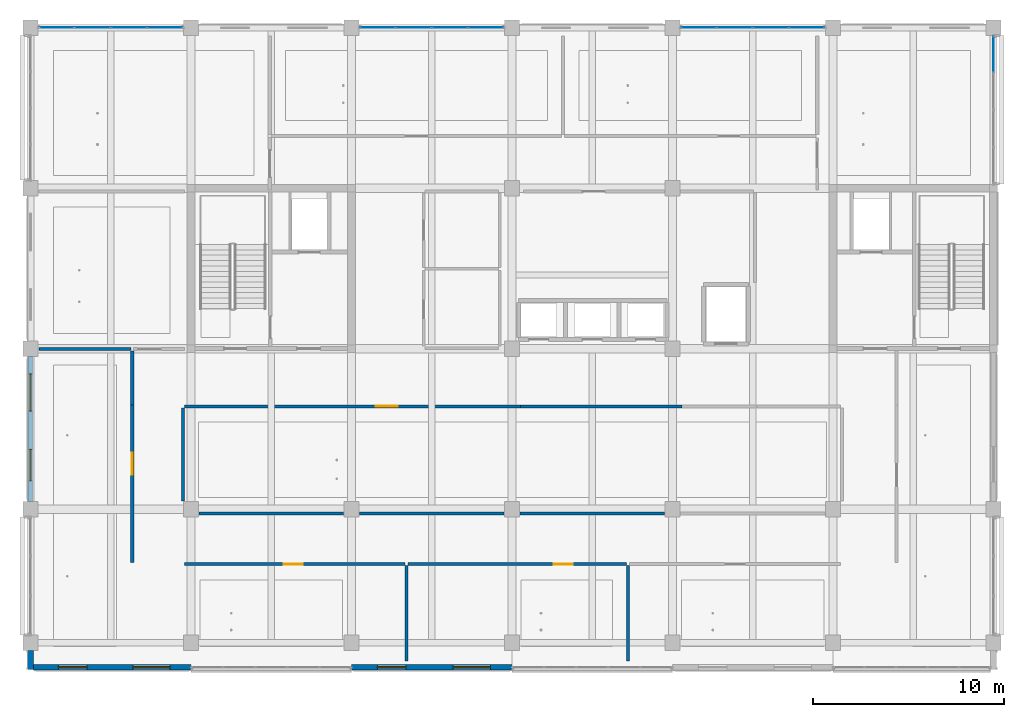
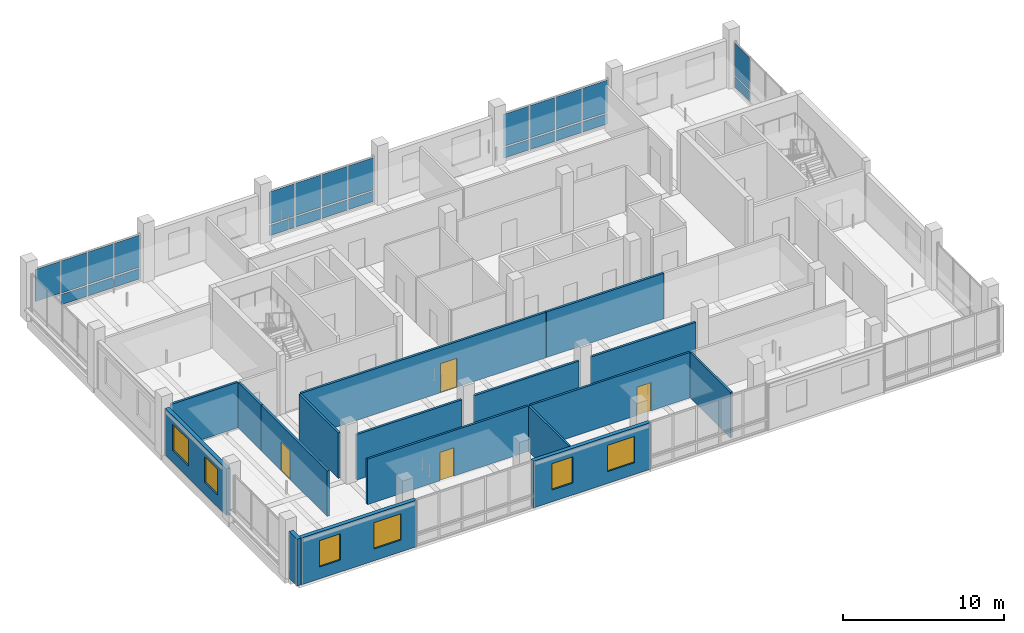
# One storey, part 11 of 34: 25 plates, 17 walls, 6 windows, 4 doors, 10 openings, 4 elements without a shape of their own.
"""IFC4 building model written with IfcOpenShell, lengths in metres."""

from ifc_helpers import new_model, si_unit, direction, frame, frame_2d, origin, origin_2d, place, context, subcontext, project, spatial, rectangle, extrude, material, layer, layer_set, type_object, element, fill, aggregate, save


model = new_model("IFC4")

# Units and contexts
model_context = context("Model", 3, precision=1e-05, world=origin(), true_north=direction((0.0, 1.0)))
body_context = subcontext(model_context, "Body", "Model", "MODEL_VIEW")
ifc_project = project(units=[si_unit("LENGTHUNIT", "METRE"), si_unit("AREAUNIT", "SQUARE_METRE"), si_unit("VOLUMEUNIT", "CUBIC_METRE"), si_unit("PLANEANGLEUNIT", "RADIAN"), si_unit("MASSUNIT", "GRAM", prefix="KILO")], contexts=[model_context])

# Site, building, storey
site_placement = place(None, origin())
site = spatial("IfcSite", under=ifc_project, at=site_placement, CompositionType="ELEMENT")
building_placement = place(site_placement, origin())
building = spatial("IfcBuilding", under=site, at=building_placement, Name="Telukmera Botanical Conservatory", CompositionType="ELEMENT")
storey_placement = place(building_placement, frame((0.0, 0.0, 37.5)))
storey = spatial("IfcBuildingStorey", under=building, at=storey_placement, Name="L08", CompositionType="ELEMENT", Elevation=37.5)

# Curtain wall, plates
ifc_material_1 = material(Name="Anodised aluminium 6063-T6", Category="aluminium")
ifc_layer_1 = layer(ifc_material_1, 0.179931640625)
ifc_layer_set_1 = layer_set([ifc_layer_1], Name="Anodised aluminium 6063-T6")
curtain_wall_type = type_object("IfcCurtainWallType", Name="Tower Research Laboratory Unitised Curtain Wall", PredefinedType="USERDEFINED", material=ifc_layer_set_1)
curtain_wall_1_placement = place(storey_placement, origin())
curtain_wall_1 = element("IfcCurtainWall", 1, at=curtain_wall_1_placement, inside=storey, type_object=curtain_wall_type, Name="Unitised Curtain Wall CW15 V4:L08:N1", ObjectType="UNITISED CURTAIN WALL", PredefinedType="USERDEFINED")
ifc_material_2 = material(Name="Spectrally selective low-E double glazing", Category="glass")
ifc_layer_2 = layer(ifc_material_2, 0.028076171875)
ifc_layer_set_2 = layer_set([ifc_layer_2], Name="Spectrally selective low-E double glazing")
plate_type = type_object("IfcPlateType", Name="Spectrally Selective Vision Double Glazing Panel 28", PredefinedType="CURTAIN_PANEL", material=ifc_layer_set_2)
plate_1_placement = place(storey_placement, frame((51.7666015625, 42.800048828125, 1.0048828125), z_axis=(0.0, 0.0, 1.0), x_axis=(1.0, 0.0, 0.0)))
plate_1 = element("IfcPlate", 2, at=plate_1_placement, type_object=plate_type, Name="CW15 panel 1.2", PredefinedType="CURTAIN_PANEL", context=body_context, shape_type="SweptSolid", body=[
    extrude(rectangle(XDim=1.80908203125, YDim=0.028076171875, at=origin_2d()), origin(), (0.0, 0.0, 1.0), 2.43505859375),
])
plate_2_placement = place(storey_placement, frame((53.650390625, 42.800048828125, 0.10986328125), z_axis=(0.0, 0.0, 1.0), x_axis=(1.0, 0.0, 0.0)))
plate_2 = element("IfcPlate", 3, at=plate_2_placement, type_object=plate_type, Name="CW15 panel 2.1", PredefinedType="CURTAIN_PANEL", context=body_context, shape_type="SweptSolid", body=[
    extrude(rectangle(XDim=1.839111328125, YDim=0.028076171875, at=origin_2d()), origin(), (0.0, 0.0, 1.0), 0.784912109375),
])
plate_3_placement = place(storey_placement, frame((53.650390625, 42.800048828125, 1.0048828125), z_axis=(0.0, 0.0, 1.0), x_axis=(1.0, 0.0, 0.0)))
plate_3 = element("IfcPlate", 4, at=plate_3_placement, type_object=plate_type, Name="CW15 panel 2.2", PredefinedType="CURTAIN_PANEL", context=body_context, shape_type="SweptSolid", body=[
    extrude(rectangle(XDim=1.839111328125, YDim=0.028076171875, at=origin_2d()), origin(), (0.0, 0.0, 1.0), 2.43505859375),
])
plate_4_placement = place(storey_placement, frame((55.549560546875, 42.800048828125, 0.10986328125), z_axis=(0.0, 0.0, 1.0), x_axis=(1.0, 0.0, 0.0)))
plate_4 = element("IfcPlate", 5, at=plate_4_placement, type_object=plate_type, Name="CW15 panel 3.1", PredefinedType="CURTAIN_PANEL", context=body_context, shape_type="SweptSolid", body=[
    extrude(rectangle(XDim=1.839111328125, YDim=0.028076171875, at=origin_2d()), origin(), (0.0, 0.0, 1.0), 0.784912109375),
])
plate_5_placement = place(storey_placement, frame((55.549560546875, 42.800048828125, 1.0048828125), z_axis=(0.0, 0.0, 1.0), x_axis=(1.0, 0.0, 0.0)))
plate_5 = element("IfcPlate", 6, at=plate_5_placement, type_object=plate_type, Name="CW15 panel 3.2", PredefinedType="CURTAIN_PANEL", context=body_context, shape_type="SweptSolid", body=[
    extrude(rectangle(XDim=1.839111328125, YDim=0.028076171875, at=origin_2d()), origin(), (0.0, 0.0, 1.0), 2.43505859375),
])
plate_6_placement = place(storey_placement, frame((57.43359375, 42.800048828125, 0.10986328125), z_axis=(0.0, 0.0, 1.0), x_axis=(1.0, 0.0, 0.0)))
plate_6 = element("IfcPlate", 7, at=plate_6_placement, type_object=plate_type, Name="CW15 panel 4.1", PredefinedType="CURTAIN_PANEL", context=body_context, shape_type="SweptSolid", body=[
    extrude(rectangle(XDim=1.80908203125, YDim=0.028076171875, at=origin_2d()), origin(), (0.0, 0.0, 1.0), 0.784912109375),
])
plate_7_placement = place(storey_placement, frame((57.43359375, 42.800048828125, 1.0048828125), z_axis=(0.0, 0.0, 1.0), x_axis=(1.0, 0.0, 0.0)))
plate_7 = element("IfcPlate", 8, at=plate_7_placement, type_object=plate_type, Name="CW15 panel 4.2", PredefinedType="CURTAIN_PANEL", context=body_context, shape_type="SweptSolid", body=[
    extrude(rectangle(XDim=1.80908203125, YDim=0.028076171875, at=origin_2d()), origin(), (0.0, 0.0, 1.0), 2.43505859375),
])
aggregate(curtain_wall_1, [plate_1, plate_2, plate_3, plate_4, plate_5, plate_6, plate_7])

curtain_wall_2_placement = place(storey_placement, origin())
curtain_wall_2 = element("IfcCurtainWall", 9, at=curtain_wall_2_placement, inside=storey, type_object=curtain_wall_type, Name="Unitised Curtain Wall CW15 V4:L08:N3", ObjectType="UNITISED CURTAIN WALL", PredefinedType="USERDEFINED")
plate_8_placement = place(storey_placement, frame((68.56640625, 42.800048828125, 0.10986328125), z_axis=(0.0, 0.0, 1.0), x_axis=(1.0, 0.0, 0.0)))
plate_8 = element("IfcPlate", 10, at=plate_8_placement, type_object=plate_type, Name="CW15 panel 1.1", PredefinedType="CURTAIN_PANEL", context=body_context, shape_type="SweptSolid", body=[
    extrude(rectangle(XDim=1.80908203125, YDim=0.028076171875, at=origin_2d()), origin(), (0.0, 0.0, 1.0), 0.784912109375),
])
plate_9_placement = place(storey_placement, frame((68.56640625, 42.800048828125, 1.0048828125), z_axis=(0.0, 0.0, 1.0), x_axis=(1.0, 0.0, 0.0)))
plate_9 = element("IfcPlate", 11, at=plate_9_placement, type_object=plate_type, Name="CW15 panel 1.2", PredefinedType="CURTAIN_PANEL", context=body_context, shape_type="SweptSolid", body=[
    extrude(rectangle(XDim=1.80908203125, YDim=0.028076171875, at=origin_2d()), origin(), (0.0, 0.0, 1.0), 2.43505859375),
])
plate_10_placement = place(storey_placement, frame((70.450439453125, 42.800048828125, 0.10986328125), z_axis=(0.0, 0.0, 1.0), x_axis=(1.0, 0.0, 0.0)))
plate_10 = element("IfcPlate", 12, at=plate_10_placement, type_object=plate_type, Name="CW15 panel 2.1", PredefinedType="CURTAIN_PANEL", context=body_context, shape_type="SweptSolid", body=[
    extrude(rectangle(XDim=1.839111328125, YDim=0.028076171875, at=origin_2d()), origin(), (0.0, 0.0, 1.0), 0.784912109375),
])
plate_11_placement = place(storey_placement, frame((70.450439453125, 42.800048828125, 1.0048828125), z_axis=(0.0, 0.0, 1.0), x_axis=(1.0, 0.0, 0.0)))
plate_11 = element("IfcPlate", 13, at=plate_11_placement, type_object=plate_type, Name="CW15 panel 2.2", PredefinedType="CURTAIN_PANEL", context=body_context, shape_type="SweptSolid", body=[
    extrude(rectangle(XDim=1.839111328125, YDim=0.028076171875, at=origin_2d()), origin(), (0.0, 0.0, 1.0), 2.43505859375),
])
plate_12_placement = place(storey_placement, frame((72.349609375, 42.800048828125, 0.10986328125), z_axis=(0.0, 0.0, 1.0), x_axis=(1.0, 0.0, 0.0)))
plate_12 = element("IfcPlate", 14, at=plate_12_placement, type_object=plate_type, Name="CW15 panel 3.1", PredefinedType="CURTAIN_PANEL", context=body_context, shape_type="SweptSolid", body=[
    extrude(rectangle(XDim=1.839111328125, YDim=0.028076171875, at=origin_2d()), origin(), (0.0, 0.0, 1.0), 0.784912109375),
])
plate_13_placement = place(storey_placement, frame((72.349609375, 42.800048828125, 1.0048828125), z_axis=(0.0, 0.0, 1.0), x_axis=(1.0, 0.0, 0.0)))
plate_13 = element("IfcPlate", 15, at=plate_13_placement, type_object=plate_type, Name="CW15 panel 3.2", PredefinedType="CURTAIN_PANEL", context=body_context, shape_type="SweptSolid", body=[
    extrude(rectangle(XDim=1.839111328125, YDim=0.028076171875, at=origin_2d()), origin(), (0.0, 0.0, 1.0), 2.43505859375),
])
plate_14_placement = place(storey_placement, frame((74.2333984375, 42.800048828125, 0.10986328125), z_axis=(0.0, 0.0, 1.0), x_axis=(1.0, 0.0, 0.0)))
plate_14 = element("IfcPlate", 16, at=plate_14_placement, type_object=plate_type, Name="CW15 panel 4.1", PredefinedType="CURTAIN_PANEL", context=body_context, shape_type="SweptSolid", body=[
    extrude(rectangle(XDim=1.80908203125, YDim=0.028076171875, at=origin_2d()), origin(), (0.0, 0.0, 1.0), 0.784912109375),
])
plate_15_placement = place(storey_placement, frame((74.2333984375, 42.800048828125, 1.0048828125), z_axis=(0.0, 0.0, 1.0), x_axis=(1.0, 0.0, 0.0)))
plate_15 = element("IfcPlate", 17, at=plate_15_placement, type_object=plate_type, Name="CW15 panel 4.2", PredefinedType="CURTAIN_PANEL", context=body_context, shape_type="SweptSolid", body=[
    extrude(rectangle(XDim=1.80908203125, YDim=0.028076171875, at=origin_2d()), origin(), (0.0, 0.0, 1.0), 2.43505859375),
])
aggregate(curtain_wall_2, [plate_8, plate_9, plate_10, plate_11, plate_12, plate_13, plate_14, plate_15])

curtain_wall_3_placement = place(storey_placement, origin())
curtain_wall_3 = element("IfcCurtainWall", 18, at=curtain_wall_3_placement, inside=storey, type_object=curtain_wall_type, Name="Unitised Curtain Wall CW15 V4:L08:N5", ObjectType="UNITISED CURTAIN WALL", PredefinedType="USERDEFINED")
plate_16_placement = place(storey_placement, frame((85.366455078125, 42.800048828125, 0.10986328125), z_axis=(0.0, 0.0, 1.0), x_axis=(1.0, 0.0, 0.0)))
plate_16 = element("IfcPlate", 19, at=plate_16_placement, type_object=plate_type, Name="CW15 panel 1.1", PredefinedType="CURTAIN_PANEL", context=body_context, shape_type="SweptSolid", body=[
    extrude(rectangle(XDim=1.80908203125, YDim=0.028076171875, at=origin_2d()), origin(), (0.0, 0.0, 1.0), 0.784912109375),
])
plate_17_placement = place(storey_placement, frame((85.366455078125, 42.800048828125, 1.0048828125), z_axis=(0.0, 0.0, 1.0), x_axis=(1.0, 0.0, 0.0)))
plate_17 = element("IfcPlate", 20, at=plate_17_placement, type_object=plate_type, Name="CW15 panel 1.2", PredefinedType="CURTAIN_PANEL", context=body_context, shape_type="SweptSolid", body=[
    extrude(rectangle(XDim=1.80908203125, YDim=0.028076171875, at=origin_2d()), origin(), (0.0, 0.0, 1.0), 2.43505859375),
])
plate_18_placement = place(storey_placement, frame((87.25048828125, 42.800048828125, 0.10986328125), z_axis=(0.0, 0.0, 1.0), x_axis=(1.0, 0.0, 0.0)))
plate_18 = element("IfcPlate", 21, at=plate_18_placement, type_object=plate_type, Name="CW15 panel 2.1", PredefinedType="CURTAIN_PANEL", context=body_context, shape_type="SweptSolid", body=[
    extrude(rectangle(XDim=1.839111328125, YDim=0.028076171875, at=origin_2d()), origin(), (0.0, 0.0, 1.0), 0.784912109375),
])
plate_19_placement = place(storey_placement, frame((87.25048828125, 42.800048828125, 1.0048828125), z_axis=(0.0, 0.0, 1.0), x_axis=(1.0, 0.0, 0.0)))
plate_19 = element("IfcPlate", 22, at=plate_19_placement, type_object=plate_type, Name="CW15 panel 2.2", PredefinedType="CURTAIN_PANEL", context=body_context, shape_type="SweptSolid", body=[
    extrude(rectangle(XDim=1.839111328125, YDim=0.028076171875, at=origin_2d()), origin(), (0.0, 0.0, 1.0), 2.43505859375),
])
plate_20_placement = place(storey_placement, frame((89.1494140625, 42.800048828125, 0.10986328125), z_axis=(0.0, 0.0, 1.0), x_axis=(1.0, 0.0, 0.0)))
plate_20 = element("IfcPlate", 23, at=plate_20_placement, type_object=plate_type, Name="CW15 panel 3.1", PredefinedType="CURTAIN_PANEL", context=body_context, shape_type="SweptSolid", body=[
    extrude(rectangle(XDim=1.839111328125, YDim=0.028076171875, at=origin_2d()), origin(), (0.0, 0.0, 1.0), 0.784912109375),
])
plate_21_placement = place(storey_placement, frame((89.1494140625, 42.800048828125, 1.0048828125), z_axis=(0.0, 0.0, 1.0), x_axis=(1.0, 0.0, 0.0)))
plate_21 = element("IfcPlate", 24, at=plate_21_placement, type_object=plate_type, Name="CW15 panel 3.2", PredefinedType="CURTAIN_PANEL", context=body_context, shape_type="SweptSolid", body=[
    extrude(rectangle(XDim=1.839111328125, YDim=0.028076171875, at=origin_2d()), origin(), (0.0, 0.0, 1.0), 2.43505859375),
])
plate_22_placement = place(storey_placement, frame((91.033447265625, 42.800048828125, 0.10986328125), z_axis=(0.0, 0.0, 1.0), x_axis=(1.0, 0.0, 0.0)))
plate_22 = element("IfcPlate", 25, at=plate_22_placement, type_object=plate_type, Name="CW15 panel 4.1", PredefinedType="CURTAIN_PANEL", context=body_context, shape_type="SweptSolid", body=[
    extrude(rectangle(XDim=1.80908203125, YDim=0.028076171875, at=origin_2d()), origin(), (0.0, 0.0, 1.0), 0.784912109375),
])
plate_23_placement = place(storey_placement, frame((91.033447265625, 42.800048828125, 1.0048828125), z_axis=(0.0, 0.0, 1.0), x_axis=(1.0, 0.0, 0.0)))
plate_23 = element("IfcPlate", 26, at=plate_23_placement, type_object=plate_type, Name="CW15 panel 4.2", PredefinedType="CURTAIN_PANEL", context=body_context, shape_type="SweptSolid", body=[
    extrude(rectangle(XDim=1.80908203125, YDim=0.028076171875, at=origin_2d()), origin(), (0.0, 0.0, 1.0), 2.43505859375),
])
aggregate(curtain_wall_3, [plate_16, plate_17, plate_18, plate_19, plate_20, plate_21, plate_22, plate_23])

curtain_wall_4_placement = place(storey_placement, origin())
curtain_wall_4 = element("IfcCurtainWall", 27, at=curtain_wall_4_placement, inside=storey, type_object=curtain_wall_type, Name="Unitised Curtain Wall CW15 V4:L08:E4", ObjectType="UNITISED CURTAIN WALL", PredefinedType="USERDEFINED")
plate_24_placement = place(storey_placement, frame((100.800048828125, 41.408447265625, 0.10986328125), z_axis=(0.0, 0.0, 1.0), x_axis=(0.0, 1.0, 0.0)))
plate_24 = element("IfcPlate", 28, at=plate_24_placement, type_object=plate_type, Name="CW15 panel 4.1", PredefinedType="CURTAIN_PANEL", context=body_context, shape_type="SweptSolid", body=[
    extrude(rectangle(XDim=1.85888671875, YDim=0.028076171875, at=origin_2d()), origin(), (0.0, 0.0, 1.0), 0.784912109375),
])
plate_25_placement = place(storey_placement, frame((100.800048828125, 41.408447265625, 1.0048828125), z_axis=(0.0, 0.0, 1.0), x_axis=(0.0, 1.0, 0.0)))
plate_25 = element("IfcPlate", 29, at=plate_25_placement, type_object=plate_type, Name="CW15 panel 4.2", PredefinedType="CURTAIN_PANEL", context=body_context, shape_type="SweptSolid", body=[
    extrude(rectangle(XDim=1.85888671875, YDim=0.028076171875, at=origin_2d()), origin(), (0.0, 0.0, 1.0), 2.43505859375),
])
aggregate(curtain_wall_4, [plate_24, plate_25])

# Wall, openings, windows
ifc_material_3 = material(Name="Precast concrete C40/50", Category="concrete")
ifc_layer_3 = layer(ifc_material_3, 0.280029296875)
ifc_layer_set_3 = layer_set([ifc_layer_3], Name="Precast concrete C40/50")
wall_type_1 = type_object("IfcWallType", Name="Exterior Laboratory Modular Precast Wall 280", PredefinedType="ELEMENTEDWALL", material=ifc_layer_set_3)
wall_1_placement = place(storey_placement, frame((50.552001953125, 9.320068359375, 0.0), z_axis=(0.0, 0.0, 1.0), x_axis=(1.0, 0.0, 0.0)))
wall_1 = element("IfcWall", 30, at=wall_1_placement, inside=storey, type_object=wall_type_1, Name="Exterior Precast Wall EW06 V4:L08:S1", PredefinedType="ELEMENTEDWALL", context=body_context, shape_type="SweptSolid", body=[
    extrude(rectangle(XDim=8.24609375, YDim=0.280029296875, at=frame_2d((4.123046875, 0.0))), origin(), (0.0, 0.0, 1.0), 3.550048828125),
])
opening_1_placement = place(wall_1_placement, frame((1.3115234375, 0.0, 0.89990234375)))
opening_1 = element("IfcOpeningElement", 31, at=opening_1_placement, cuts=wall_1, Name="Opening W06", PredefinedType="OPENING", context=body_context, shape_type="SweptSolid", body=[
    extrude(rectangle(XDim=1.5, YDim=2.0, at=frame_2d((0.75, 1.0))), frame((0.0, 0.14990234375, 0.0), z_axis=(0.0, -1.0, 0.0), x_axis=(1.0, 0.0, 0.0)), (0.0, 0.0, 1.0), 0.300048828125),
])
opening_2_placement = place(wall_1_placement, frame((5.20947265625, 0.0, 0.89990234375)))
opening_2 = element("IfcOpeningElement", 32, at=opening_2_placement, cuts=wall_1, Name="Opening W13", PredefinedType="OPENING", context=body_context, shape_type="SweptSolid", body=[
    extrude(rectangle(XDim=1.949951171875, YDim=2.0, at=frame_2d((0.97509765625, 1.0))), frame((0.0, 0.14990234375, 0.0), z_axis=(0.0, -1.0, 0.0), x_axis=(1.0, 0.0, 0.0)), (0.0, 0.0, 1.0), 0.300048828125),
])
ifc_material_4 = material(Name="Thermally broken anodised aluminium frame with low-E double glazing", Category="aluminium")
window_type_1 = type_object("IfcWindowType", Name="Double Vertical Laboratory Viewing Window 1500x2000", PartitioningType="DOUBLE_PANEL_VERTICAL", PredefinedType="WINDOW", material=ifc_material_4)
window_1_placement = place(opening_1_placement, origin())
window_1 = element("IfcWindow", 33, at=window_1_placement, inside=storey, type_object=window_type_1, Name="Facade Window W06 V4:L08:S1 1", OverallHeight=2.0, OverallWidth=1.5, PartitioningType="DOUBLE_PANEL_VERTICAL", PredefinedType="WINDOW", context=body_context, shape_type="SweptSolid", body=[
    extrude(rectangle(XDim=1.5, YDim=2.0, at=frame_2d((0.75, 1.0))), frame((0.0, 0.030029296875, 0.0), z_axis=(0.0, -1.0, 0.0), x_axis=(1.0, 0.0, 0.0)), (0.0, 0.0, 1.0), 0.06005859375),
])
fill(opening_1, window_1)
window_type_2 = type_object("IfcWindowType", Name="Triple Vertical Tissue Culture Lab Window 1950x2000", PartitioningType="TRIPLE_PANEL_VERTICAL", PredefinedType="WINDOW", material=ifc_material_4)
window_2_placement = place(opening_2_placement, origin())
window_2 = element("IfcWindow", 34, at=window_2_placement, inside=storey, type_object=window_type_2, Name="Facade Window W13 V4:L08:S1 2", OverallHeight=2.0, OverallWidth=1.949951171875, PartitioningType="TRIPLE_PANEL_VERTICAL", PredefinedType="WINDOW", context=body_context, shape_type="SweptSolid", body=[
    extrude(rectangle(XDim=1.949951171875, YDim=2.0, at=frame_2d((0.97509765625, 1.0))), frame((0.0, 0.030029296875, 0.0), z_axis=(0.0, -1.0, 0.0), x_axis=(1.0, 0.0, 0.0)), (0.0, 0.0, 1.0), 0.06005859375),
])
fill(opening_2, window_2)

wall_2_placement = place(storey_placement, frame((67.201904296875, 9.320068359375, 0.0), z_axis=(0.0, 0.0, 1.0), x_axis=(1.0, 0.0, 0.0)))
wall_2 = element("IfcWall", 35, at=wall_2_placement, inside=storey, type_object=wall_type_1, Name="Exterior Precast Wall EW06 V4:L08:S3", PredefinedType="ELEMENTEDWALL", context=body_context, shape_type="SweptSolid", body=[
    extrude(rectangle(XDim=8.39599609375, YDim=0.280029296875, at=frame_2d((4.197998046875, 0.0))), origin(), (0.0, 0.0, 1.0), 3.550048828125),
])
opening_3_placement = place(wall_2_placement, frame((1.34912109375, 0.0, 0.89990234375)))
opening_3 = element("IfcOpeningElement", 36, at=opening_3_placement, cuts=wall_2, Name="Opening W06", PredefinedType="OPENING", context=body_context, shape_type="SweptSolid", body=[
    extrude(rectangle(XDim=1.5, YDim=2.0, at=frame_2d((0.75, 1.0))), frame((0.0, 0.14990234375, 0.0), z_axis=(0.0, -1.0, 0.0), x_axis=(1.0, 0.0, 0.0)), (0.0, 0.0, 1.0), 0.300048828125),
])
opening_4_placement = place(wall_2_placement, frame((5.322021484375, 0.0, 0.89990234375)))
opening_4 = element("IfcOpeningElement", 37, at=opening_4_placement, cuts=wall_2, Name="Opening W13", PredefinedType="OPENING", context=body_context, shape_type="SweptSolid", body=[
    extrude(rectangle(XDim=1.949951171875, YDim=2.0, at=frame_2d((0.97509765625, 1.0))), frame((0.0, 0.14990234375, 0.0), z_axis=(0.0, -1.0, 0.0), x_axis=(1.0, 0.0, 0.0)), (0.0, 0.0, 1.0), 0.300048828125),
])
window_3_placement = place(opening_3_placement, origin())
window_3 = element("IfcWindow", 38, at=window_3_placement, inside=storey, type_object=window_type_1, Name="Facade Window W06 V4:L08:S3 1", OverallHeight=2.0, OverallWidth=1.5, PartitioningType="DOUBLE_PANEL_VERTICAL", PredefinedType="WINDOW", context=body_context, shape_type="SweptSolid", body=[
    extrude(rectangle(XDim=1.5, YDim=2.0, at=frame_2d((0.75, 1.0))), frame((0.0, 0.030029296875, 0.0), z_axis=(0.0, -1.0, 0.0), x_axis=(1.0, 0.0, 0.0)), (0.0, 0.0, 1.0), 0.06005859375),
])
fill(opening_3, window_3)
window_4_placement = place(opening_4_placement, origin())
window_4 = element("IfcWindow", 39, at=window_4_placement, inside=storey, type_object=window_type_2, Name="Facade Window W13 V4:L08:S3 2", OverallHeight=2.0, OverallWidth=1.949951171875, PartitioningType="TRIPLE_PANEL_VERTICAL", PredefinedType="WINDOW", context=body_context, shape_type="SweptSolid", body=[
    extrude(rectangle(XDim=1.949951171875, YDim=2.0, at=frame_2d((0.97509765625, 1.0))), frame((0.0, 0.030029296875, 0.0), z_axis=(0.0, -1.0, 0.0), x_axis=(1.0, 0.0, 0.0)), (0.0, 0.0, 1.0), 0.06005859375),
])
fill(opening_4, window_4)

wall_3_placement = place(storey_placement, frame((50.39990234375, 18.001953125, 0.0), z_axis=(0.0, 0.0, 1.0), x_axis=(0.0, 1.0, 0.0)))
wall_3 = element("IfcWall", 40, at=wall_3_placement, inside=storey, type_object=wall_type_1, Name="Exterior Precast Wall EW06 V4:L08:W2", PredefinedType="ELEMENTEDWALL", context=body_context, shape_type="SweptSolid", body=[
    extrude(rectangle(XDim=7.595947265625, YDim=0.280029296875, at=frame_2d((3.7978515625, 0.0))), origin(), (0.0, 0.0, 1.0), 3.550048828125),
])
opening_5_placement = place(wall_3_placement, frame((1.073974609375, 0.0, 0.89990234375)))
opening_5 = element("IfcOpeningElement", 41, at=opening_5_placement, cuts=wall_3, Name="Opening W10", PredefinedType="OPENING", context=body_context, shape_type="SweptSolid", body=[
    extrude(rectangle(XDim=1.64990234375, YDim=1.949951171875, at=frame_2d((0.824951171875, 0.97509765625))), frame((0.0, 0.14990234375, 0.0), z_axis=(0.0, -1.0, 0.0), x_axis=(1.0, 0.0, 0.0)), (0.0, 0.0, 1.0), 0.300048828125),
])
opening_6_placement = place(wall_3_placement, frame((4.721923828125, 0.0, 0.89990234375)))
opening_6 = element("IfcOpeningElement", 42, at=opening_6_placement, cuts=wall_3, Name="Opening W13", PredefinedType="OPENING", context=body_context, shape_type="SweptSolid", body=[
    extrude(rectangle(XDim=1.949951171875, YDim=2.0, at=frame_2d((0.97509765625, 1.0))), frame((0.0, 0.14990234375, 0.0), z_axis=(0.0, -1.0, 0.0), x_axis=(1.0, 0.0, 0.0)), (0.0, 0.0, 1.0), 0.300048828125),
])
window_type_3 = type_object("IfcWindowType", Name="Double Horizontal Phytochemistry Lab Window 1650x1950", PartitioningType="DOUBLE_PANEL_HORIZONTAL", PredefinedType="WINDOW", material=ifc_material_4)
window_5_placement = place(opening_5_placement, origin())
window_5 = element("IfcWindow", 43, at=window_5_placement, inside=storey, type_object=window_type_3, Name="Facade Window W10 V4:L08:W2 1", OverallHeight=1.949951171875, OverallWidth=1.64990234375, PartitioningType="DOUBLE_PANEL_HORIZONTAL", PredefinedType="WINDOW", context=body_context, shape_type="SweptSolid", body=[
    extrude(rectangle(XDim=1.64990234375, YDim=1.949951171875, at=frame_2d((0.824951171875, 0.97509765625))), frame((0.0, 0.030029296875, 0.0), z_axis=(0.0, -1.0, 0.0), x_axis=(1.0, 0.0, 0.0)), (0.0, 0.0, 1.0), 0.06005859375),
])
fill(opening_5, window_5)
window_6_placement = place(opening_6_placement, origin())
window_6 = element("IfcWindow", 44, at=window_6_placement, inside=storey, type_object=window_type_2, Name="Facade Window W13 V4:L08:W2 2", OverallHeight=2.0, OverallWidth=1.949951171875, PartitioningType="TRIPLE_PANEL_VERTICAL", PredefinedType="WINDOW", context=body_context, shape_type="SweptSolid", body=[
    extrude(rectangle(XDim=1.949951171875, YDim=2.0, at=frame_2d((0.97509765625, 1.0))), frame((0.0, 0.030029296875, 0.0), z_axis=(0.0, -1.0, 0.0), x_axis=(1.0, 0.0, 0.0)), (0.0, 0.0, 1.0), 0.06005859375),
])
fill(opening_6, window_6)

# Walls
ifc_material_5 = material(Name="Terracotta-faced precast concrete C40/50", Category="masonry")
ifc_layer_4 = layer(ifc_material_5, 0.300048828125)
ifc_layer_set_4 = layer_set([ifc_layer_4], Name="Terracotta-faced precast concrete C40/50")
wall_type_2 = type_object("IfcWallType", Name="Exterior Polychrome Terracotta Precast Wall 300", PredefinedType="SOLIDWALL", material=ifc_layer_set_4)
wall_4_placement = place(storey_placement, frame((50.39990234375, 9.199951171875, 0.0), z_axis=(0.0, 0.0, 1.0), x_axis=(0.0, 1.0, 0.0)))
element("IfcWall", 45, at=wall_4_placement, inside=storey, type_object=wall_type_2, Name="Exterior Precast Wall EW02 V4:L08:SWC", PredefinedType="SOLIDWALL", context=body_context, shape_type="SweptSolid", body=[
    extrude(rectangle(XDim=0.998046875, YDim=0.300048828125, at=frame_2d((0.4990234375, 0.0))), origin(), (0.0, 0.0, 1.0), 3.550048828125),
])
ifc_material_6 = material(Name="Gypsum acoustic stud partition")
ifc_layer_5 = layer(ifc_material_6, 0.159912109375)
ifc_layer_set_5 = layer_set([ifc_layer_5], Name="Gypsum acoustic stud partition")
wall_type_3 = type_object("IfcWallType", Name="WT-LAB-160", PredefinedType="PARTITIONING", material=ifc_layer_set_5)
wall_5_placement = place(storey_placement, frame((50.85009765625, 25.97509765625, 0.0), z_axis=(0.0, 0.0, 1.0), x_axis=(1.0, 0.0, 0.0)))
element("IfcWall", 46, at=wall_5_placement, inside=storey, type_object=wall_type_3, Name="L08 Interior Partition 10", PredefinedType="PARTITIONING", context=body_context, shape_type="SweptSolid", body=[
    extrude(rectangle(XDim=4.7998046875, YDim=0.159912109375, at=frame_2d((2.39990234375, 0.0))), origin(), (0.0, 0.0, 1.0), 3.449951171875),
])
wall_6_placement = place(storey_placement, frame((76.050048828125, 22.97509765625, 0.0), z_axis=(0.0, 0.0, 1.0), x_axis=(1.0, 0.0, 0.0)))
element("IfcWall", 47, at=wall_6_placement, inside=storey, type_object=wall_type_3, Name="L08 Interior Partition 12", PredefinedType="PARTITIONING", context=body_context, shape_type="SweptSolid", body=[
    extrude(rectangle(XDim=8.449951171875, YDim=0.159912109375, at=frame_2d((4.22509765625, 0.0))), origin(), (0.0, 0.0, 1.0), 3.449951171875),
])

# Wall, opening, door
wall_7_placement = place(storey_placement, frame((58.449951171875, 22.97509765625, 0.0), z_axis=(0.0, 0.0, 1.0), x_axis=(1.0, 0.0, 0.0)))
wall_7 = element("IfcWall", 48, at=wall_7_placement, inside=storey, type_object=wall_type_3, Name="L08 Interior Partition 14", PredefinedType="PARTITIONING", context=body_context, shape_type="SweptSolid", body=[
    extrude(rectangle(XDim=17.590087890625, YDim=0.159912109375, at=frame_2d((8.794921875, 0.0))), origin(), (0.0, 0.0, 1.0), 3.449951171875),
])
opening_7_placement = place(wall_7_placement, frame((10.018310546875, 0.0, 0.0)))
opening_7 = element("IfcOpeningElement", 49, at=opening_7_placement, cuts=wall_7, Name="Opening ID09", PredefinedType="OPENING", context=body_context, shape_type="SweptSolid", body=[
    extrude(rectangle(XDim=1.159912109375, YDim=2.199951171875, at=frame_2d((0.580078125, 1.10009765625))), frame((0.0, 0.08984375, 0.0), z_axis=(0.0, -1.0, 0.0), x_axis=(1.0, 0.0, 0.0)), (0.0, 0.0, 1.0), 0.179931640625),
])
ifc_material_7 = material(Name="Phenolic faced laboratory fire door")
door_type_1 = type_object("IfcDoorType", Name="DT-LAB-116", OperationType="NOTDEFINED", PredefinedType="DOOR", material=ifc_material_7)
door_1_placement = place(opening_7_placement, frame((1.159912109375, 0.0, 0.0), z_axis=(0.0, 0.0, 1.0), x_axis=(-1.0, 0.0, 0.0)))
door_1 = element("IfcDoor", 50, at=door_1_placement, inside=storey, type_object=door_type_1, Name="L08 Research Laboratory Door", OperationType="SINGLE_SWING_LEFT", OverallHeight=2.199951171875, OverallWidth=1.159912109375, PredefinedType="DOOR", context=body_context, shape_type="SweptSolid", body=[
    extrude(rectangle(XDim=1.159912109375, YDim=2.199951171875, at=frame_2d((0.580078125, 1.10009765625))), frame((0.0, 0.02490234375, 0.0), z_axis=(0.0, -1.0, 0.0), x_axis=(1.0, 0.0, 0.0)), (0.0, 0.0, 1.0), 0.050048828125),
])
fill(opening_7, door_1)

# Walls
wall_8_placement = place(storey_placement, frame((55.72509765625, 23.050048828125, 0.0), z_axis=(0.0, 0.0, 1.0), x_axis=(0.0, 1.0, 0.0)))
element("IfcWall", 51, at=wall_8_placement, inside=storey, type_object=wall_type_3, Name="L08 Interior Partition 15", PredefinedType="PARTITIONING", context=body_context, shape_type="SweptSolid", body=[
    extrude(rectangle(XDim=2.8349609375, YDim=0.159912109375, at=frame_2d((1.41748046875, 0.0))), origin(), (0.0, 0.0, 1.0), 3.449951171875),
])
wall_9_placement = place(storey_placement, frame((58.375, 18.030029296875, 0.0), z_axis=(0.0, 0.0, 1.0), x_axis=(0.0, 1.0, 0.0)))
element("IfcWall", 52, at=wall_9_placement, inside=storey, type_object=wall_type_3, Name="L08 Interior Partition 18", PredefinedType="PARTITIONING", context=body_context, shape_type="SweptSolid", body=[
    extrude(rectangle(XDim=4.85498046875, YDim=0.159912109375, at=frame_2d((2.427490234375, 0.0))), origin(), (0.0, 0.0, 1.0), 3.449951171875),
])

# Wall, opening, door
wall_10_placement = place(storey_placement, frame((55.72509765625, 14.800048828125, 0.0), z_axis=(0.0, 0.0, 1.0), x_axis=(0.0, 1.0, 0.0)))
wall_10 = element("IfcWall", 53, at=wall_10_placement, inside=storey, type_object=wall_type_3, Name="L08 Interior Partition 19", PredefinedType="PARTITIONING", context=body_context, shape_type="SweptSolid", body=[
    extrude(rectangle(XDim=8.239990234375, YDim=0.159912109375, at=frame_2d((4.1201171875, 0.0))), origin(), (0.0, 0.0, 1.0), 3.449951171875),
])
opening_8_placement = place(wall_10_placement, frame((4.5869140625, 0.0, 0.0)))
opening_8 = element("IfcOpeningElement", 54, at=opening_8_placement, cuts=wall_10, Name="Opening ID09", PredefinedType="OPENING", context=body_context, shape_type="SweptSolid", body=[
    extrude(rectangle(XDim=1.159912109375, YDim=2.199951171875, at=frame_2d((0.580078125, 1.10009765625))), frame((0.0, 0.08984375, 0.0), z_axis=(0.0, -1.0, 0.0), x_axis=(1.0, 0.0, 0.0)), (0.0, 0.0, 1.0), 0.179931640625),
])
door_2_placement = place(opening_8_placement, origin())
door_2 = element("IfcDoor", 55, at=door_2_placement, inside=storey, type_object=door_type_1, Name="L08 West Botanical Assay Laboratory Door", OperationType="SINGLE_SWING_RIGHT", OverallHeight=2.199951171875, OverallWidth=1.159912109375, PredefinedType="DOOR", context=body_context, shape_type="SweptSolid", body=[
    extrude(rectangle(XDim=1.159912109375, YDim=2.199951171875, at=frame_2d((0.580078125, 1.10009765625))), frame((0.0, 0.02490234375, 0.0), z_axis=(0.0, -1.0, 0.0), x_axis=(1.0, 0.0, 0.0)), (0.0, 0.0, 1.0), 0.050048828125),
])
fill(opening_8, door_2)

# Walls
for number, where, z_axis, x_axis, name in (
    (56, (59.22998046875, 17.375, 0.0), (0.0, 0.0, 1.0), (1.0, 0.0, 0.0), "L08 Interior Partition 22"),
    (57, (67.6298828125, 17.375, 0.0), (0.0, 0.0, 1.0), (1.0, 0.0, 0.0), "L08 Interior Partition 23"),
    (58, (76.030029296875, 17.375, 0.0), (0.0, 0.0, 1.0), (1.0, 0.0, 0.0), "L08 Interior Partition 24"),
):
    element("IfcWall", number, at=place(storey_placement, frame(where, z_axis=z_axis, x_axis=x_axis)), inside=storey, type_object=wall_type_3, Name=name, PredefinedType="PARTITIONING", context=body_context, shape_type="SweptSolid", body=[
        extrude(rectangle(XDim=7.5400390625, YDim=0.159912109375, at=frame_2d((3.77001953125, 0.0))), origin(), (0.0, 0.0, 1.0), 3.449951171875),
    ])

# Wall, opening, door
ifc_layer_6 = layer(ifc_material_6, 0.14990234375)
ifc_layer_set_6 = layer_set([ifc_layer_6], Name="Gypsum acoustic stud partition")
wall_type_4 = type_object("IfcWallType", Name="WT-STD-150", PredefinedType="PARTITIONING", material=ifc_layer_set_6)
wall_11_placement = place(storey_placement, frame((58.449951171875, 14.72509765625, 0.0), z_axis=(0.0, 0.0, 1.0), x_axis=(1.0, 0.0, 0.0)))
wall_11 = element("IfcWall", 59, at=wall_11_placement, inside=storey, type_object=wall_type_4, Name="L08 Interior Partition 26", PredefinedType="PARTITIONING", context=body_context, shape_type="SweptSolid", body=[
    extrude(rectangle(XDim=11.550048828125, YDim=0.14990234375, at=frame_2d((5.77490234375, 0.0))), origin(), (0.0, 0.0, 1.0), 3.449951171875),
])
opening_9_placement = place(wall_11_placement, frame((5.199951171875, 0.0, 0.0)))
opening_9 = element("IfcOpeningElement", 60, at=opening_9_placement, cuts=wall_11, Name="Opening ID14", PredefinedType="OPENING", context=body_context, shape_type="SweptSolid", body=[
    extrude(rectangle(XDim=1.0, YDim=2.14990234375, at=frame_2d((0.5, 1.074951171875))), frame((0.0, 0.0849609375, 0.0), z_axis=(0.0, -1.0, 0.0), x_axis=(1.0, 0.0, 0.0)), (0.0, 0.0, 1.0), 0.169921875),
])
ifc_material_8 = material(Name="Acoustic timber office door", Category="wood")
door_type_2 = type_object("IfcDoorType", Name="DT-WRT-100", OperationType="NOTDEFINED", PredefinedType="DOOR", material=ifc_material_8)
door_3_placement = place(opening_9_placement, frame((1.0, 0.0, 0.0), z_axis=(0.0, 0.0, 1.0), x_axis=(-1.0, 0.0, 0.0)))
door_3 = element("IfcDoor", 61, at=door_3_placement, inside=storey, type_object=door_type_2, Name="L08 Laboratory Write-Up Studio Door", OperationType="SINGLE_SWING_RIGHT", OverallHeight=2.14990234375, OverallWidth=1.0, PredefinedType="DOOR", context=body_context, shape_type="SweptSolid", body=[
    extrude(rectangle(XDim=1.0, YDim=2.14990234375, at=frame_2d((0.5, 1.074951171875))), frame((0.0, 0.02490234375, 0.0), z_axis=(0.0, -1.0, 0.0), x_axis=(1.0, 0.0, 0.0)), (0.0, 0.0, 1.0), 0.050048828125),
])
fill(opening_9, door_3)

wall_12_placement = place(storey_placement, frame((70.14990234375, 14.72509765625, 0.0), z_axis=(0.0, 0.0, 1.0), x_axis=(1.0, 0.0, 0.0)))
wall_12 = element("IfcWall", 62, at=wall_12_placement, inside=storey, type_object=wall_type_4, Name="L08 Interior Partition 27", PredefinedType="PARTITIONING", context=body_context, shape_type="SweptSolid", body=[
    extrude(rectangle(XDim=11.4501953125, YDim=0.14990234375, at=frame_2d((5.72509765625, 0.0))), origin(), (0.0, 0.0, 1.0), 3.449951171875),
])
opening_10_placement = place(wall_12_placement, frame((7.63720703125, 0.0, 0.0)))
opening_10 = element("IfcOpeningElement", 63, at=opening_10_placement, cuts=wall_12, Name="Opening ID14", PredefinedType="OPENING", context=body_context, shape_type="SweptSolid", body=[
    extrude(rectangle(XDim=1.0, YDim=2.14990234375, at=frame_2d((0.5, 1.074951171875))), frame((0.0, 0.0849609375, 0.0), z_axis=(0.0, -1.0, 0.0), x_axis=(1.0, 0.0, 0.0)), (0.0, 0.0, 1.0), 0.169921875),
])
door_4_placement = place(opening_10_placement, frame((1.0, 0.0, 0.0), z_axis=(0.0, 0.0, 1.0), x_axis=(-1.0, 0.0, 0.0)))
door_4 = element("IfcDoor", 64, at=door_4_placement, inside=storey, type_object=door_type_2, Name="L08 Postdoctoral Fellows Studio Door", OperationType="SINGLE_SWING_LEFT", OverallHeight=2.14990234375, OverallWidth=1.0, PredefinedType="DOOR", context=body_context, shape_type="SweptSolid", body=[
    extrude(rectangle(XDim=1.0, YDim=2.14990234375, at=frame_2d((0.5, 1.074951171875))), frame((0.0, 0.02490234375, 0.0), z_axis=(0.0, -1.0, 0.0), x_axis=(1.0, 0.0, 0.0)), (0.0, 0.0, 1.0), 0.050048828125),
])
fill(opening_10, door_4)

# Walls
for number, where, z_axis, x_axis, name in (
    (65, (70.074951171875, 9.64990234375, 0.0), (0.0, 0.0, 1.0), (0.0, 1.0, 0.0), "L08 Interior Partition 29"),
    (66, (81.675048828125, 9.64990234375, 0.0), (0.0, 0.0, 1.0), (0.0, 1.0, 0.0), "L08 Interior Partition 30"),
):
    element("IfcWall", number, at=place(storey_placement, frame(where, z_axis=z_axis, x_axis=x_axis)), inside=storey, type_object=wall_type_4, Name=name, PredefinedType="PARTITIONING", context=body_context, shape_type="SweptSolid", body=[
        extrude(rectangle(XDim=4.989990234375, YDim=0.14990234375, at=frame_2d((2.4951171875, 0.0))), origin(), (0.0, 0.0, 1.0), 3.449951171875),
    ])

save(model, "model.ifc")
